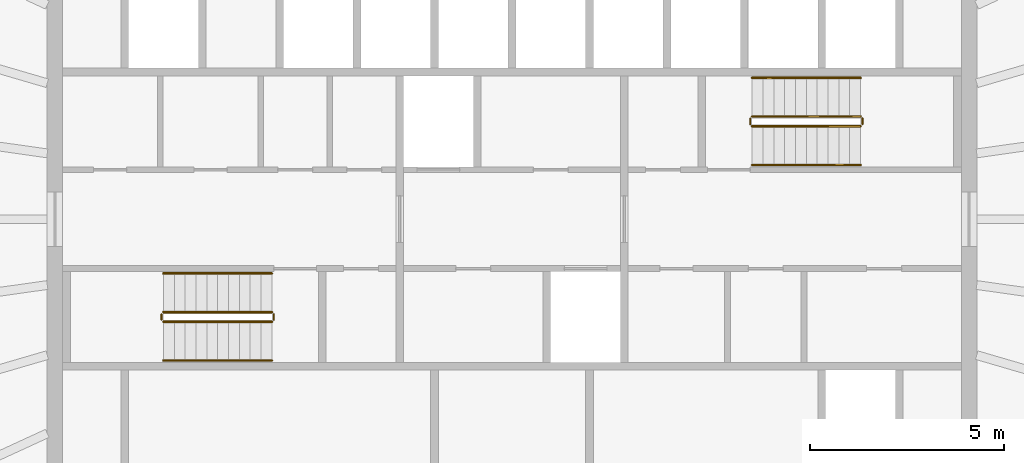
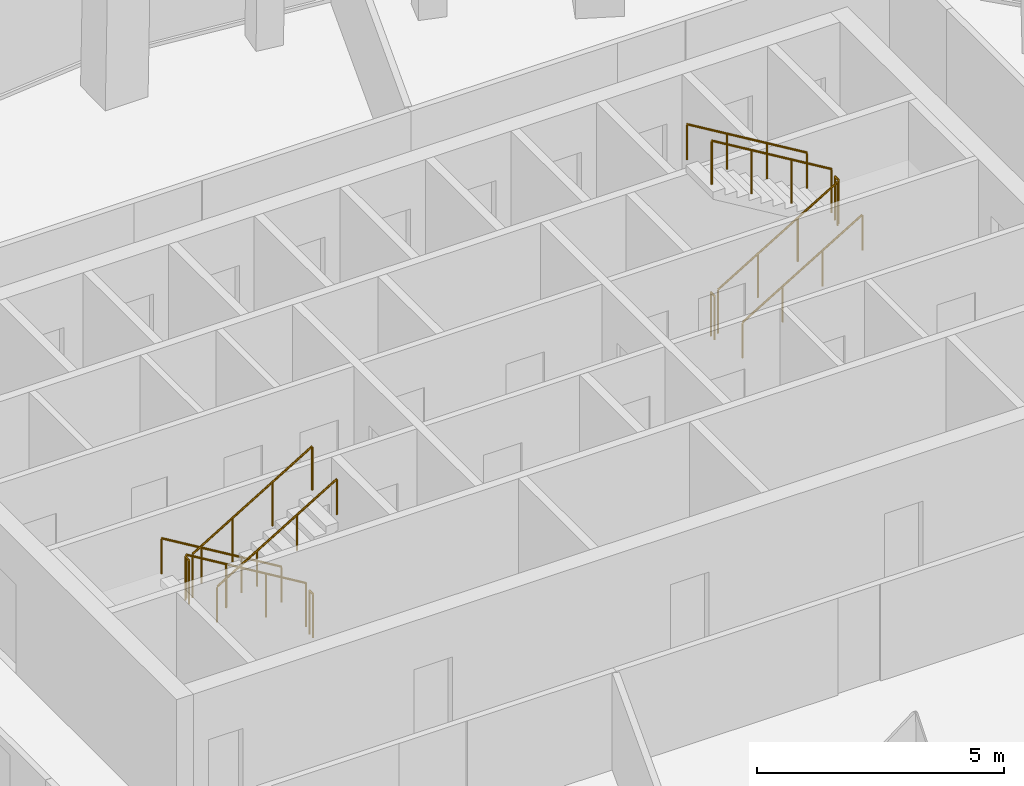
# One storey, part 11 of 11: 12 railings.
"""IFC4 building model written with IfcOpenShell, lengths in metres."""

from ifc_helpers import new_model, si_unit, direction, frame, origin, origin_2d, place, context, subcontext, project, spatial, circle, extrude, material, type_object, element, save


model = new_model("IFC4")

# Units and contexts
model_context = context("Model", 3, precision=1e-05, world=origin(), true_north=direction((0.0, 1.0)))
body_context = subcontext(model_context, "Body", "Model", "MODEL_VIEW")
ifc_project = project(units=[si_unit("LENGTHUNIT", "METRE"), si_unit("AREAUNIT", "SQUARE_METRE"), si_unit("VOLUMEUNIT", "CUBIC_METRE"), si_unit("PLANEANGLEUNIT", "RADIAN"), si_unit("MASSUNIT", "GRAM", prefix="KILO")], contexts=[model_context])

# Site, building, storey
site_placement = place(None, origin())
site = spatial("IfcSite", under=ifc_project, at=site_placement, CompositionType="ELEMENT")
building_placement = place(site_placement, origin())
building = spatial("IfcBuilding", under=site, at=building_placement, Name="Siaravel Broadcast Tower", CompositionType="ELEMENT")
storey_placement = place(building_placement, frame((0.0, 0.0, 246.699951171875)))
storey = spatial("IfcBuildingStorey", under=building, at=storey_placement, Name="L60", CompositionType="ELEMENT", Elevation=246.699951171875)

# Railings
ifc_material = material(Name="Stainless steel 316L", Category="steel")
railing_type_1 = type_object("IfcRailingType", Name="Stair guard 1100", PredefinedType="GUARDRAIL", material=ifc_material)
railing_1_placement = place(storey_placement, frame((-6.199951171875, -2.39990234375, 0.168212890625)))
element("IfcRailing", 1, at=railing_1_placement, inside=storey, type_object=railing_type_1, Name="L60 ST-1 stair guard 1", PredefinedType="GUARDRAIL", context=body_context, shape_type="SweptSolid", body=[
    extrude(circle(Radius=0.02392578125, at=origin_2d()), frame((0.0, 0.0, 1.076171875), z_axis=(-0.857242211, 0.0, 0.514913383), x_axis=(0.0, -1.0, 0.0)), (0.0, 0.0, 1.0), 3.266357421875),
    extrude(circle(Radius=0.02099609375, at=origin_2d()), origin(), (0.0, 0.0, 1.0), 1.052001953125),
    extrude(circle(Radius=0.02099609375, at=origin_2d()), frame((-0.933349609375, 0.0, 0.560546875)), (0.0, 0.0, 1.0), 1.052001953125),
    extrude(circle(Radius=0.02099609375, at=origin_2d()), frame((-1.86669921875, 0.0, 1.121337890625)), (0.0, 0.0, 1.0), 1.052001953125),
    extrude(circle(Radius=0.02099609375, at=origin_2d()), frame((-2.800048828125, 0.0, 1.681884765625)), (0.0, 0.0, 1.0), 1.052001953125),
])
railing_2_placement = place(storey_placement, frame((-9.050048828125, -2.449951171875, 1.85009765625)))
element("IfcRailing", 2, at=railing_2_placement, inside=storey, type_object=railing_type_1, Name="L60 ST-1 stair guard 2", PredefinedType="GUARDRAIL", context=body_context, shape_type="SweptSolid", body=[
    extrude(circle(Radius=0.02392578125, at=origin_2d()), frame((0.0, 0.0, 1.076171875), z_axis=(0.0, -1.0, 0.0), x_axis=(1.0, 0.0, 0.0)), (0.0, 0.0, 1.0), 0.150146484375),
    extrude(circle(Radius=0.02099609375, at=origin_2d()), origin(), (0.0, 0.0, 1.0), 1.052001953125),
    extrude(circle(Radius=0.02099609375, at=origin_2d()), frame((0.0, -0.150146484375, 0.0)), (0.0, 0.0, 1.0), 1.052001953125),
])
railing_3_placement = place(storey_placement, frame((-9.0, -2.64990234375, 2.018310546875)))
element("IfcRailing", 3, at=railing_3_placement, inside=storey, type_object=railing_type_1, Name="L60 ST-1 stair guard 3", PredefinedType="GUARDRAIL", context=body_context, shape_type="SweptSolid", body=[
    extrude(circle(Radius=0.02392578125, at=origin_2d()), frame((0.0, 0.0, 1.076171875), z_axis=(0.857275203, 0.0, 0.514858453), x_axis=(0.0, 1.0, 0.0)), (0.0, 0.0, 1.0), 3.26611328125),
    extrude(circle(Radius=0.02099609375, at=origin_2d()), origin(), (0.0, 0.0, 1.0), 1.052001953125),
    extrude(circle(Radius=0.02099609375, at=origin_2d()), frame((0.933349609375, 0.0, 0.560546875)), (0.0, 0.0, 1.0), 1.052001953125),
    extrude(circle(Radius=0.02099609375, at=origin_2d()), frame((1.86669921875, 0.0, 1.12109375)), (0.0, 0.0, 1.0), 1.052001953125),
    extrude(circle(Radius=0.02099609375, at=origin_2d()), frame((2.800048828125, 0.0, 1.681640625)), (0.0, 0.0, 1.0), 1.052001953125),
])
railing_4_placement = place(storey_placement, frame((-6.14990234375, -2.449951171875, 0.0)))
element("IfcRailing", 4, at=railing_4_placement, inside=storey, type_object=railing_type_1, Name="L60 ST-1 stair guard 4", PredefinedType="GUARDRAIL", context=body_context, shape_type="SweptSolid", body=[
    extrude(circle(Radius=0.02392578125, at=origin_2d()), frame((0.0, 0.0, 1.076171875), z_axis=(0.0, -1.0, 0.0), x_axis=(1.0, 0.0, 0.0)), (0.0, 0.0, 1.0), 0.150146484375),
    extrude(circle(Radius=0.02099609375, at=origin_2d()), origin(), (0.0, 0.0, 1.0), 1.052001953125),
    extrude(circle(Radius=0.02099609375, at=origin_2d()), frame((0.0, -0.150146484375, 0.0)), (0.0, 0.0, 1.0), 1.052001953125),
])
railing_5_placement = place(storey_placement, frame((6.199951171875, 2.39990234375, 0.168212890625)))
element("IfcRailing", 5, at=railing_5_placement, inside=storey, type_object=railing_type_1, Name="L60 ST-2 stair guard 1", PredefinedType="GUARDRAIL", context=body_context, shape_type="SweptSolid", body=[
    extrude(circle(Radius=0.02392578125, at=origin_2d()), frame((0.0, 0.0, 1.076171875), z_axis=(0.857242211, 0.0, 0.514913383), x_axis=(0.0, 1.0, 0.0)), (0.0, 0.0, 1.0), 3.266357421875),
    extrude(circle(Radius=0.02099609375, at=origin_2d()), origin(), (0.0, 0.0, 1.0), 1.052001953125),
    extrude(circle(Radius=0.02099609375, at=origin_2d()), frame((0.933349609375, 0.0, 0.560546875)), (0.0, 0.0, 1.0), 1.052001953125),
    extrude(circle(Radius=0.02099609375, at=origin_2d()), frame((1.86669921875, 0.0, 1.121337890625)), (0.0, 0.0, 1.0), 1.052001953125),
    extrude(circle(Radius=0.02099609375, at=origin_2d()), frame((2.800048828125, 0.0, 1.681884765625)), (0.0, 0.0, 1.0), 1.052001953125),
])
railing_6_placement = place(storey_placement, frame((9.050048828125, 2.449951171875, 1.85009765625)))
element("IfcRailing", 6, at=railing_6_placement, inside=storey, type_object=railing_type_1, Name="L60 ST-2 stair guard 2", PredefinedType="GUARDRAIL", context=body_context, shape_type="SweptSolid", body=[
    extrude(circle(Radius=0.02392578125, at=origin_2d()), frame((0.0, 0.0, 1.076171875), z_axis=(0.0, 1.0, 0.0), x_axis=(-1.0, 0.0, 0.0)), (0.0, 0.0, 1.0), 0.150146484375),
    extrude(circle(Radius=0.02099609375, at=origin_2d()), origin(), (0.0, 0.0, 1.0), 1.052001953125),
    extrude(circle(Radius=0.02099609375, at=origin_2d()), frame((0.0, 0.150146484375, 0.0)), (0.0, 0.0, 1.0), 1.052001953125),
])
railing_7_placement = place(storey_placement, frame((9.0, 2.64990234375, 2.018310546875)))
element("IfcRailing", 7, at=railing_7_placement, inside=storey, type_object=railing_type_1, Name="L60 ST-2 stair guard 3", PredefinedType="GUARDRAIL", context=body_context, shape_type="SweptSolid", body=[
    extrude(circle(Radius=0.02392578125, at=origin_2d()), frame((0.0, 0.0, 1.076171875), z_axis=(-0.857275203, 0.0, 0.514858453), x_axis=(0.0, -1.0, 0.0)), (0.0, 0.0, 1.0), 3.26611328125),
    extrude(circle(Radius=0.02099609375, at=origin_2d()), origin(), (0.0, 0.0, 1.0), 1.052001953125),
    extrude(circle(Radius=0.02099609375, at=origin_2d()), frame((-0.933349609375, 0.0, 0.560546875)), (0.0, 0.0, 1.0), 1.052001953125),
    extrude(circle(Radius=0.02099609375, at=origin_2d()), frame((-1.86669921875, 0.0, 1.12109375)), (0.0, 0.0, 1.0), 1.052001953125),
    extrude(circle(Radius=0.02099609375, at=origin_2d()), frame((-2.800048828125, 0.0, 1.681640625)), (0.0, 0.0, 1.0), 1.052001953125),
])
railing_8_placement = place(storey_placement, frame((6.14990234375, 2.449951171875, 0.0)))
element("IfcRailing", 8, at=railing_8_placement, inside=storey, type_object=railing_type_1, Name="L60 ST-2 stair guard 4", PredefinedType="GUARDRAIL", context=body_context, shape_type="SweptSolid", body=[
    extrude(circle(Radius=0.02392578125, at=origin_2d()), frame((0.0, 0.0, 1.076171875), z_axis=(0.0, 1.0, 0.0), x_axis=(-1.0, 0.0, 0.0)), (0.0, 0.0, 1.0), 0.150146484375),
    extrude(circle(Radius=0.02099609375, at=origin_2d()), origin(), (0.0, 0.0, 1.0), 1.052001953125),
    extrude(circle(Radius=0.02099609375, at=origin_2d()), frame((0.0, 0.150146484375, 0.0)), (0.0, 0.0, 1.0), 1.052001953125),
])
railing_type_2 = type_object("IfcRailingType", Name="Stair handrail 900", PredefinedType="HANDRAIL", material=ifc_material)
railing_9_placement = place(storey_placement, frame((-6.199951171875, -1.39990234375, 0.168212890625)))
element("IfcRailing", 9, at=railing_9_placement, inside=storey, type_object=railing_type_2, Name="L60 ST-1 stair handrail 1", PredefinedType="HANDRAIL", context=body_context, shape_type="SweptSolid", body=[
    extrude(circle(Radius=0.02392578125, at=origin_2d()), frame((0.0, 0.0, 0.8759765625), z_axis=(-0.857242211, 0.0, 0.514913383), x_axis=(0.0, -1.0, 0.0)), (0.0, 0.0, 1.0), 3.266357421875),
    extrude(circle(Radius=0.02099609375, at=origin_2d()), origin(), (0.0, 0.0, 1.0), 0.851806640625),
    extrude(circle(Radius=0.02099609375, at=origin_2d()), frame((-0.933349609375, 0.0, 0.560546875)), (0.0, 0.0, 1.0), 0.851806640625),
    extrude(circle(Radius=0.02099609375, at=origin_2d()), frame((-1.86669921875, 0.0, 1.121337890625)), (0.0, 0.0, 1.0), 0.851806640625),
    extrude(circle(Radius=0.02099609375, at=origin_2d()), frame((-2.800048828125, 0.0, 1.681884765625)), (0.0, 0.0, 1.0), 0.851806640625),
])
railing_10_placement = place(storey_placement, frame((-9.0, -3.64990234375, 2.018310546875)))
element("IfcRailing", 10, at=railing_10_placement, inside=storey, type_object=railing_type_2, Name="L60 ST-1 stair handrail 2", PredefinedType="HANDRAIL", context=body_context, shape_type="SweptSolid", body=[
    extrude(circle(Radius=0.02392578125, at=origin_2d()), frame((0.0, 0.0, 0.8759765625), z_axis=(0.857275203, 0.0, 0.514858453), x_axis=(0.0, 1.0, 0.0)), (0.0, 0.0, 1.0), 3.26611328125),
    extrude(circle(Radius=0.02099609375, at=origin_2d()), origin(), (0.0, 0.0, 1.0), 0.851806640625),
    extrude(circle(Radius=0.02099609375, at=origin_2d()), frame((0.933349609375, 0.0, 0.560546875)), (0.0, 0.0, 1.0), 0.851806640625),
    extrude(circle(Radius=0.02099609375, at=origin_2d()), frame((1.86669921875, 0.0, 1.12109375)), (0.0, 0.0, 1.0), 0.851806640625),
    extrude(circle(Radius=0.02099609375, at=origin_2d()), frame((2.800048828125, 0.0, 1.681640625)), (0.0, 0.0, 1.0), 0.851806640625),
])
railing_11_placement = place(storey_placement, frame((6.199951171875, 1.39990234375, 0.168212890625)))
element("IfcRailing", 11, at=railing_11_placement, inside=storey, type_object=railing_type_2, Name="L60 ST-2 stair handrail 1", PredefinedType="HANDRAIL", context=body_context, shape_type="SweptSolid", body=[
    extrude(circle(Radius=0.02392578125, at=origin_2d()), frame((0.0, 0.0, 0.8759765625), z_axis=(0.857242211, 0.0, 0.514913383), x_axis=(0.0, 1.0, 0.0)), (0.0, 0.0, 1.0), 3.266357421875),
    extrude(circle(Radius=0.02099609375, at=origin_2d()), origin(), (0.0, 0.0, 1.0), 0.851806640625),
    extrude(circle(Radius=0.02099609375, at=origin_2d()), frame((0.933349609375, 0.0, 0.560546875)), (0.0, 0.0, 1.0), 0.851806640625),
    extrude(circle(Radius=0.02099609375, at=origin_2d()), frame((1.86669921875, 0.0, 1.121337890625)), (0.0, 0.0, 1.0), 0.851806640625),
    extrude(circle(Radius=0.02099609375, at=origin_2d()), frame((2.800048828125, 0.0, 1.681884765625)), (0.0, 0.0, 1.0), 0.851806640625),
])
railing_12_placement = place(storey_placement, frame((9.0, 3.64990234375, 2.018310546875)))
element("IfcRailing", 12, at=railing_12_placement, inside=storey, type_object=railing_type_2, Name="L60 ST-2 stair handrail 2", PredefinedType="HANDRAIL", context=body_context, shape_type="SweptSolid", body=[
    extrude(circle(Radius=0.02392578125, at=origin_2d()), frame((0.0, 0.0, 0.8759765625), z_axis=(-0.857275203, 0.0, 0.514858453), x_axis=(0.0, -1.0, 0.0)), (0.0, 0.0, 1.0), 3.26611328125),
    extrude(circle(Radius=0.02099609375, at=origin_2d()), origin(), (0.0, 0.0, 1.0), 0.851806640625),
    extrude(circle(Radius=0.02099609375, at=origin_2d()), frame((-0.933349609375, 0.0, 0.560546875)), (0.0, 0.0, 1.0), 0.851806640625),
    extrude(circle(Radius=0.02099609375, at=origin_2d()), frame((-1.86669921875, 0.0, 1.12109375)), (0.0, 0.0, 1.0), 0.851806640625),
    extrude(circle(Radius=0.02099609375, at=origin_2d()), frame((-2.800048828125, 0.0, 1.681640625)), (0.0, 0.0, 1.0), 0.851806640625),
])

save(model, "model.ifc")
